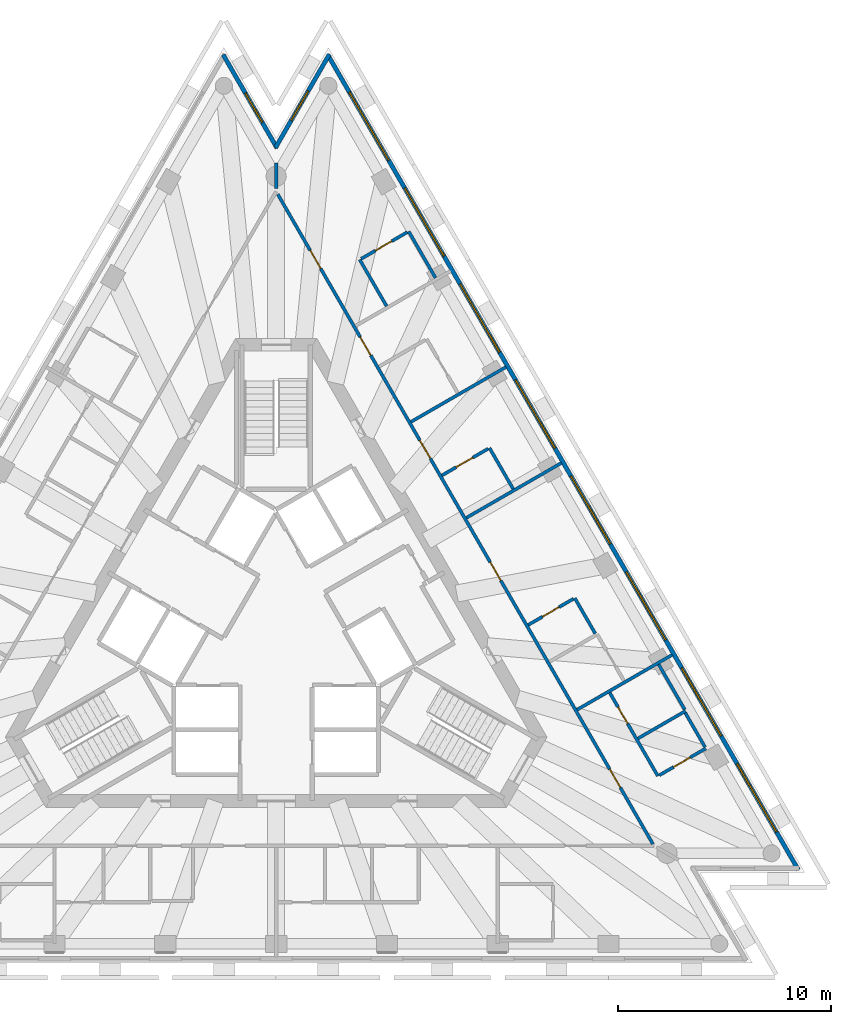
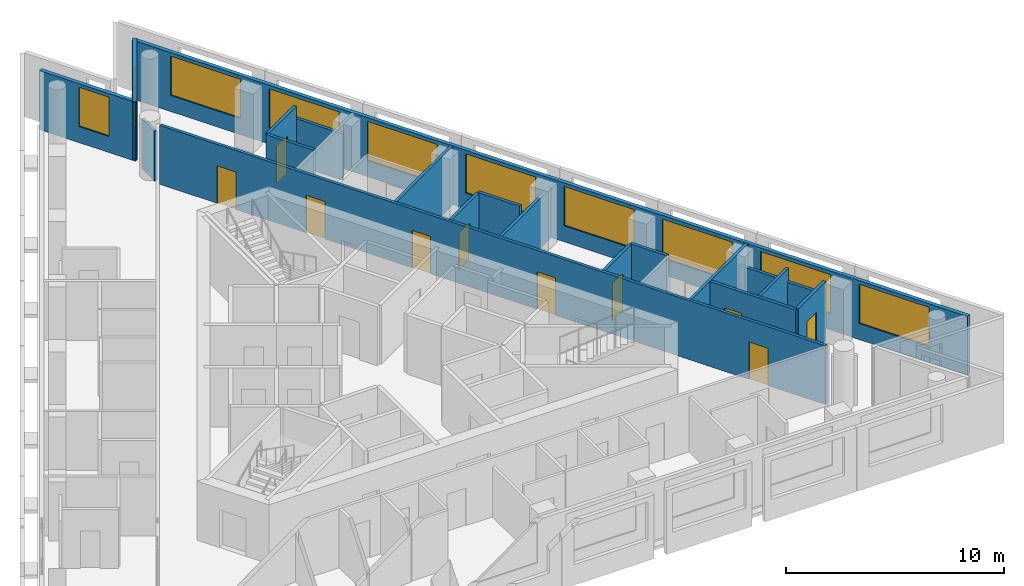
# One storey, part 7 of 10: 20 walls, 10 doors, 10 windows, 20 openings.
"""IFC4 building model written with IfcOpenShell, lengths in metres."""

from ifc_helpers import new_model, si_unit, direction, frame, frame_2d, origin, place, context, subcontext, project, spatial, rectangle, extrude, material, layer, layer_set, layer_usage, type_object, element, fill, save


model = new_model("IFC4")

# Units and contexts
model_context = context("Model", 3, precision=1e-05, world=origin(), true_north=direction((0.0, 1.0)))
body_context = subcontext(model_context, "Body", "Model", "MODEL_VIEW")
ifc_project = project(units=[si_unit("LENGTHUNIT", "METRE"), si_unit("AREAUNIT", "SQUARE_METRE"), si_unit("VOLUMEUNIT", "CUBIC_METRE"), si_unit("PLANEANGLEUNIT", "RADIAN"), si_unit("MASSUNIT", "GRAM", prefix="KILO")], contexts=[model_context])

# Site, building, storey
site_placement = place(None, origin())
site = spatial("IfcSite", under=ifc_project, at=site_placement, CompositionType="ELEMENT")
building_placement = place(site_placement, origin())
building = spatial("IfcBuilding", under=site, at=building_placement, Name="Triada Interchange Tower", CompositionType="ELEMENT")
storey_placement = place(building_placement, frame((0.0, 0.0, 315.10009765625)))
storey = spatial("IfcBuildingStorey", under=building, at=storey_placement, Name="L75", CompositionType="ELEMENT", Elevation=315.10009765625)

# Wall, openings, windows
ifc_material_1 = material(Name="Cement board")
ifc_layer_1 = layer(ifc_material_1, 0.02001953125, Name="Cement board cladding")
ifc_material_2 = material(Name="Sheathing board")
ifc_layer_2 = layer(ifc_material_2, 0.014892578125, Name="Sheathing board")
ifc_material_3 = material(Name="Mineral wool")
ifc_layer_3 = layer(ifc_material_3, 0.14990234375, Name="Mineral wool between steel studs")
ifc_material_4 = material(Name="Gypsum board")
ifc_layer_4 = layer(ifc_material_4, 0.014892578125, Name="Plasterboard lining")
ifc_layer_set_1 = layer_set([ifc_layer_1, ifc_layer_2, ifc_layer_3, ifc_layer_4], Name="External wall 200")
ifc_layer_usage = layer_usage(ifc_layer_set_1, "AXIS2", "POSITIVE", -0.10009765625)
wall_type_1 = type_object("IfcWallType", Name="External wall 200", PredefinedType="ELEMENTEDWALL", material=ifc_layer_set_1)
wall_1_placement = place(storey_placement, frame((24.5439453125, -11.385009765625, 0.0), z_axis=(0.0, 0.0, 1.0), x_axis=(-0.500002044679, 0.866024223285, 0.0)))
wall_1 = element("IfcWall", 1, at=wall_1_placement, inside=storey, type_object=wall_type_1, material=ifc_layer_usage, Name="External wall L75 NE", PredefinedType="ELEMENTEDWALL", context=body_context, shape_type="SweptSolid", body=[
    extrude(rectangle(XDim=44.243408203125, YDim=0.199951171875, at=frame_2d((22.12158203125, 0.0))), origin(), (0.0, 0.0, 1.0), 3.2998046875),
])
opening_1_placement = place(wall_1_placement, frame((2.055908203125, 0.0, 0.89990234375)))
opening_1 = element("IfcOpeningElement", 2, at=opening_1_placement, cuts=wall_1, Name="Opening WD21", PredefinedType="OPENING", context=body_context, shape_type="SweptSolid", body=[
    extrude(rectangle(XDim=3.699951171875, YDim=2.199951171875, at=frame_2d((1.85009765625, 1.10009765625))), frame((0.0, 0.10986328125, 0.0), z_axis=(0.0, -1.0, 0.0), x_axis=(1.0, 0.0, 0.0)), (0.0, 0.0, 1.0), 0.219970703125),
])
opening_2_placement = place(wall_1_placement, frame((7.263916015625, 0.0, 0.89990234375)))
opening_2 = element("IfcOpeningElement", 3, at=opening_2_placement, cuts=wall_1, Name="Opening WD22", PredefinedType="OPENING", context=body_context, shape_type="SweptSolid", body=[
    extrude(rectangle(XDim=3.699951171875, YDim=2.199951171875, at=frame_2d((1.85009765625, 1.10009765625))), frame((0.0, 0.10986328125, 0.0), z_axis=(0.0, -1.0, 0.0), x_axis=(1.0, 0.0, 0.0)), (0.0, 0.0, 1.0), 0.219970703125),
])
opening_3_placement = place(wall_1_placement, frame((12.470947265625, 0.0, 0.89990234375)))
opening_3 = element("IfcOpeningElement", 4, at=opening_3_placement, cuts=wall_1, Name="Opening WD23", PredefinedType="OPENING", context=body_context, shape_type="SweptSolid", body=[
    extrude(rectangle(XDim=3.699951171875, YDim=2.199951171875, at=frame_2d((1.85009765625, 1.10009765625))), frame((0.0, 0.10986328125, 0.0), z_axis=(0.0, -1.0, 0.0), x_axis=(1.0, 0.0, 0.0)), (0.0, 0.0, 1.0), 0.219970703125),
])
opening_4_placement = place(wall_1_placement, frame((17.677978515625, 0.0, 0.89990234375)))
opening_4 = element("IfcOpeningElement", 5, at=opening_4_placement, cuts=wall_1, Name="Opening WD24", PredefinedType="OPENING", context=body_context, shape_type="SweptSolid", body=[
    extrude(rectangle(XDim=3.699951171875, YDim=2.199951171875, at=frame_2d((1.85009765625, 1.10009765625))), frame((0.0, 0.10986328125, 0.0), z_axis=(0.0, -1.0, 0.0), x_axis=(1.0, 0.0, 0.0)), (0.0, 0.0, 1.0), 0.219970703125),
])
opening_5_placement = place(wall_1_placement, frame((22.885009765625, 0.0, 0.89990234375)))
opening_5 = element("IfcOpeningElement", 6, at=opening_5_placement, cuts=wall_1, Name="Opening WD25", PredefinedType="OPENING", context=body_context, shape_type="SweptSolid", body=[
    extrude(rectangle(XDim=3.699951171875, YDim=2.199951171875, at=frame_2d((1.85009765625, 1.10009765625))), frame((0.0, 0.10986328125, 0.0), z_axis=(0.0, -1.0, 0.0), x_axis=(1.0, 0.0, 0.0)), (0.0, 0.0, 1.0), 0.219970703125),
])
opening_6_placement = place(wall_1_placement, frame((28.093017578125, 0.0, 0.89990234375)))
opening_6 = element("IfcOpeningElement", 7, at=opening_6_placement, cuts=wall_1, Name="Opening WD26", PredefinedType="OPENING", context=body_context, shape_type="SweptSolid", body=[
    extrude(rectangle(XDim=3.699951171875, YDim=2.199951171875, at=frame_2d((1.85009765625, 1.10009765625))), frame((0.0, 0.10986328125, 0.0), z_axis=(0.0, -1.0, 0.0), x_axis=(1.0, 0.0, 0.0)), (0.0, 0.0, 1.0), 0.219970703125),
])
opening_7_placement = place(wall_1_placement, frame((33.300048828125, 0.0, 0.89990234375)))
opening_7 = element("IfcOpeningElement", 8, at=opening_7_placement, cuts=wall_1, Name="Opening WD27", PredefinedType="OPENING", context=body_context, shape_type="SweptSolid", body=[
    extrude(rectangle(XDim=3.699951171875, YDim=2.199951171875, at=frame_2d((1.85009765625, 1.10009765625))), frame((0.0, 0.10986328125, 0.0), z_axis=(0.0, -1.0, 0.0), x_axis=(1.0, 0.0, 0.0)), (0.0, 0.0, 1.0), 0.219970703125),
])
opening_8_placement = place(wall_1_placement, frame((38.507080078125, 0.0, 0.89990234375)))
opening_8 = element("IfcOpeningElement", 9, at=opening_8_placement, cuts=wall_1, Name="Opening WD28", PredefinedType="OPENING", context=body_context, shape_type="SweptSolid", body=[
    extrude(rectangle(XDim=3.699951171875, YDim=2.199951171875, at=frame_2d((1.85009765625, 1.10009765625))), frame((0.0, 0.10986328125, 0.0), z_axis=(0.0, -1.0, 0.0), x_axis=(1.0, 0.0, 0.0)), (0.0, 0.0, 1.0), 0.219970703125),
])
ifc_material_5 = material(Name="Double glazed aluminium window", Category="aluminium")
window_type_1 = type_object("IfcWindowType", Name="Ribbon window D face", PartitioningType="SINGLE_PANEL", PredefinedType="WINDOW", material=ifc_material_5)
window_1_placement = place(opening_1_placement, origin())
window_1 = element("IfcWindow", 10, at=window_1_placement, inside=storey, type_object=window_type_1, Name="Window L75 NE 1", OverallHeight=2.199951171875, OverallWidth=3.699951171875, PartitioningType="SINGLE_PANEL", PredefinedType="WINDOW", context=body_context, shape_type="SweptSolid", body=[
    extrude(rectangle(XDim=3.699951171875, YDim=2.199951171875, at=frame_2d((1.85009765625, 1.10009765625))), frame((0.0, 0.030029296875, 0.0), z_axis=(0.0, -1.0, 0.0), x_axis=(1.0, 0.0, 0.0)), (0.0, 0.0, 1.0), 0.06005859375),
])
fill(opening_1, window_1)
window_2_placement = place(opening_2_placement, origin())
window_2 = element("IfcWindow", 11, at=window_2_placement, inside=storey, type_object=window_type_1, Name="Window L75 NE 2", OverallHeight=2.199951171875, OverallWidth=3.699951171875, PartitioningType="SINGLE_PANEL", PredefinedType="WINDOW", context=body_context, shape_type="SweptSolid", body=[
    extrude(rectangle(XDim=3.699951171875, YDim=2.199951171875, at=frame_2d((1.85009765625, 1.10009765625))), frame((0.0, 0.030029296875, 0.0), z_axis=(0.0, -1.0, 0.0), x_axis=(1.0, 0.0, 0.0)), (0.0, 0.0, 1.0), 0.06005859375),
])
fill(opening_2, window_2)
window_3_placement = place(opening_3_placement, origin())
window_3 = element("IfcWindow", 12, at=window_3_placement, inside=storey, type_object=window_type_1, Name="Window L75 NE 3", OverallHeight=2.199951171875, OverallWidth=3.699951171875, PartitioningType="SINGLE_PANEL", PredefinedType="WINDOW", context=body_context, shape_type="SweptSolid", body=[
    extrude(rectangle(XDim=3.699951171875, YDim=2.199951171875, at=frame_2d((1.85009765625, 1.10009765625))), frame((0.0, 0.030029296875, 0.0), z_axis=(0.0, -1.0, 0.0), x_axis=(1.0, 0.0, 0.0)), (0.0, 0.0, 1.0), 0.06005859375),
])
fill(opening_3, window_3)
window_4_placement = place(opening_4_placement, origin())
window_4 = element("IfcWindow", 13, at=window_4_placement, inside=storey, type_object=window_type_1, Name="Window L75 NE 4", OverallHeight=2.199951171875, OverallWidth=3.699951171875, PartitioningType="SINGLE_PANEL", PredefinedType="WINDOW", context=body_context, shape_type="SweptSolid", body=[
    extrude(rectangle(XDim=3.699951171875, YDim=2.199951171875, at=frame_2d((1.85009765625, 1.10009765625))), frame((0.0, 0.030029296875, 0.0), z_axis=(0.0, -1.0, 0.0), x_axis=(1.0, 0.0, 0.0)), (0.0, 0.0, 1.0), 0.06005859375),
])
fill(opening_4, window_4)
window_5_placement = place(opening_5_placement, origin())
window_5 = element("IfcWindow", 14, at=window_5_placement, inside=storey, type_object=window_type_1, Name="Window L75 NE 5", OverallHeight=2.199951171875, OverallWidth=3.699951171875, PartitioningType="SINGLE_PANEL", PredefinedType="WINDOW", context=body_context, shape_type="SweptSolid", body=[
    extrude(rectangle(XDim=3.699951171875, YDim=2.199951171875, at=frame_2d((1.85009765625, 1.10009765625))), frame((0.0, 0.030029296875, 0.0), z_axis=(0.0, -1.0, 0.0), x_axis=(1.0, 0.0, 0.0)), (0.0, 0.0, 1.0), 0.06005859375),
])
fill(opening_5, window_5)
window_6_placement = place(opening_6_placement, origin())
window_6 = element("IfcWindow", 15, at=window_6_placement, inside=storey, type_object=window_type_1, Name="Window L75 NE 6", OverallHeight=2.199951171875, OverallWidth=3.699951171875, PartitioningType="SINGLE_PANEL", PredefinedType="WINDOW", context=body_context, shape_type="SweptSolid", body=[
    extrude(rectangle(XDim=3.699951171875, YDim=2.199951171875, at=frame_2d((1.85009765625, 1.10009765625))), frame((0.0, 0.030029296875, 0.0), z_axis=(0.0, -1.0, 0.0), x_axis=(1.0, 0.0, 0.0)), (0.0, 0.0, 1.0), 0.06005859375),
])
fill(opening_6, window_6)
window_7_placement = place(opening_7_placement, origin())
window_7 = element("IfcWindow", 16, at=window_7_placement, inside=storey, type_object=window_type_1, Name="Window L75 NE 7", OverallHeight=2.199951171875, OverallWidth=3.699951171875, PartitioningType="SINGLE_PANEL", PredefinedType="WINDOW", context=body_context, shape_type="SweptSolid", body=[
    extrude(rectangle(XDim=3.699951171875, YDim=2.199951171875, at=frame_2d((1.85009765625, 1.10009765625))), frame((0.0, 0.030029296875, 0.0), z_axis=(0.0, -1.0, 0.0), x_axis=(1.0, 0.0, 0.0)), (0.0, 0.0, 1.0), 0.06005859375),
])
fill(opening_7, window_7)
window_8_placement = place(opening_8_placement, origin())
window_8 = element("IfcWindow", 17, at=window_8_placement, inside=storey, type_object=window_type_1, Name="Window L75 NE 8", OverallHeight=2.199951171875, OverallWidth=3.699951171875, PartitioningType="SINGLE_PANEL", PredefinedType="WINDOW", context=body_context, shape_type="SweptSolid", body=[
    extrude(rectangle(XDim=3.699951171875, YDim=2.199951171875, at=frame_2d((1.85009765625, 1.10009765625))), frame((0.0, 0.030029296875, 0.0), z_axis=(0.0, -1.0, 0.0), x_axis=(1.0, 0.0, 0.0)), (0.0, 0.0, 1.0), 0.06005859375),
])
fill(opening_8, window_8)

# Wall, opening, window
wall_2_placement = place(storey_placement, frame((2.501953125, 26.947998046875, 0.0), z_axis=(0.0, 0.0, 1.0), x_axis=(-0.499911250765, -0.866076637116, 0.0)))
wall_2 = element("IfcWall", 18, at=wall_2_placement, inside=storey, type_object=wall_type_1, material=ifc_layer_usage, Name="External wall L75 N-1", PredefinedType="ELEMENTEDWALL", context=body_context, shape_type="SweptSolid", body=[
    extrude(rectangle(XDim=5.07470703125, YDim=0.199951171875, at=frame_2d((2.537353515625, 0.0))), origin(), (0.0, 0.0, 1.0), 3.2998046875),
])
opening_9_placement = place(wall_2_placement, frame((1.989990234375, 0.0, 0.89990234375)))
opening_9 = element("IfcOpeningElement", 19, at=opening_9_placement, cuts=wall_2, Name="Opening WD29", PredefinedType="OPENING", context=body_context, shape_type="SweptSolid", body=[
    extrude(rectangle(XDim=1.60009765625, YDim=2.199951171875, at=frame_2d((0.800048828125, 1.10009765625))), frame((0.0, 0.10986328125, 0.0), z_axis=(0.0, -1.0, 0.0), x_axis=(1.0, 0.0, 0.0)), (0.0, 0.0, 1.0), 0.219970703125),
])
window_type_2 = type_object("IfcWindowType", Name="Ribbon window D pocket", PartitioningType="SINGLE_PANEL", PredefinedType="WINDOW", material=ifc_material_5)
window_9_placement = place(opening_9_placement, origin())
window_9 = element("IfcWindow", 20, at=window_9_placement, inside=storey, type_object=window_type_2, Name="Window L75 N-1 1", OverallHeight=2.199951171875, OverallWidth=1.60009765625, PartitioningType="SINGLE_PANEL", PredefinedType="WINDOW", context=body_context, shape_type="SweptSolid", body=[
    extrude(rectangle(XDim=1.60009765625, YDim=2.199951171875, at=frame_2d((0.800048828125, 1.10009765625))), frame((0.0, 0.030029296875, 0.0), z_axis=(0.0, -1.0, 0.0), x_axis=(1.0, 0.0, 0.0)), (0.0, 0.0, 1.0), 0.06005859375),
])
fill(opening_9, window_9)

wall_3_placement = place(storey_placement, frame((0.044921875, 22.535888671875, 0.0), z_axis=(0.0, 0.0, 1.0), x_axis=(-0.499911250765, 0.866076637116, 0.0)))
wall_3 = element("IfcWall", 21, at=wall_3_placement, inside=storey, type_object=wall_type_1, material=ifc_layer_usage, Name="External wall L75 N-2", PredefinedType="ELEMENTEDWALL", context=body_context, shape_type="SweptSolid", body=[
    extrude(rectangle(XDim=5.07470703125, YDim=0.199951171875, at=frame_2d((2.537353515625, 0.0))), origin(), (0.0, 0.0, 1.0), 3.2998046875),
])
opening_10_placement = place(wall_3_placement, frame((1.389892578125, 0.0, 0.89990234375)))
opening_10 = element("IfcOpeningElement", 22, at=opening_10_placement, cuts=wall_3, Name="Opening WD30", PredefinedType="OPENING", context=body_context, shape_type="SweptSolid", body=[
    extrude(rectangle(XDim=1.60009765625, YDim=2.199951171875, at=frame_2d((0.800048828125, 1.10009765625))), frame((0.0, 0.10986328125, 0.0), z_axis=(0.0, -1.0, 0.0), x_axis=(1.0, 0.0, 0.0)), (0.0, 0.0, 1.0), 0.219970703125),
])
window_10_placement = place(opening_10_placement, origin())
window_10 = element("IfcWindow", 23, at=window_10_placement, inside=storey, type_object=window_type_2, Name="Window L75 N-2 1", OverallHeight=2.199951171875, OverallWidth=1.60009765625, PartitioningType="SINGLE_PANEL", PredefinedType="WINDOW", context=body_context, shape_type="SweptSolid", body=[
    extrude(rectangle(XDim=1.60009765625, YDim=2.199951171875, at=frame_2d((0.800048828125, 1.10009765625))), frame((0.0, 0.030029296875, 0.0), z_axis=(0.0, -1.0, 0.0), x_axis=(1.0, 0.0, 0.0)), (0.0, 0.0, 1.0), 0.06005859375),
])
fill(opening_10, window_10)

# Walls
ifc_material_6 = material(Name="Gypsum board partition")
ifc_layer_5 = layer(ifc_material_6, 0.14990234375)
ifc_layer_set_2 = layer_set([ifc_layer_5], Name="PARTITION 150 EI 180")
wall_type_2 = type_object("IfcWallType", Name="PARTITION 150 EI 180", PredefinedType="PARTITIONING", material=ifc_layer_set_2)
wall_4_placement = place(storey_placement, frame((8.94189453125, 5.162109375, 0.0), z_axis=(0.0, 0.0, 1.0), x_axis=(0.86604134632, 0.499972385701, 0.0)))
element("IfcWall", 24, at=wall_4_placement, inside=storey, type_object=wall_type_2, Name="Wall L74 2", PredefinedType="PARTITIONING", context=body_context, shape_type="SweptSolid", body=[
    extrude(rectangle(XDim=5.157958984375, YDim=0.14990234375, at=frame_2d((2.5791015625, 0.0))), origin(), (0.0, 0.0, 1.0), 2.7998046875),
])
wall_5_placement = place(storey_placement, frame((0.0, 20.64990234375, 0.0), z_axis=(0.0, 0.0, 1.0), x_axis=(0.0, 1.0, 0.0)))
element("IfcWall", 25, at=wall_5_placement, inside=storey, type_object=wall_type_2, Name="Wall L74 21", PredefinedType="PARTITIONING", context=body_context, shape_type="SweptSolid", body=[
    extrude(rectangle(XDim=1.18408203125, YDim=0.14990234375, at=frame_2d((0.592041015625, 0.0))), origin(), (0.0, 0.0, 1.0), 2.7998046875),
])

# Wall, openings, doors
wall_6_placement = place(storey_placement, frame((0.074951171875, 20.3701171875, 0.0), z_axis=(0.0, 0.0, 1.0), x_axis=(0.500006672087, -0.866021551619, 0.0)))
wall_6 = element("IfcWall", 26, at=wall_6_placement, inside=storey, type_object=wall_type_2, Name="Wall L74 22", PredefinedType="PARTITIONING", context=body_context, shape_type="SweptSolid", body=[
    extrude(rectangle(XDim=35.26953125, YDim=0.14990234375, at=frame_2d((17.634765625, 0.0))), origin(), (0.0, 0.0, 1.0), 3.2998046875),
])
opening_11_placement = place(wall_6_placement, frame((31.2060546875, 0.0, 0.0)))
opening_11 = element("IfcOpeningElement", 27, at=opening_11_placement, cuts=wall_6, Name="Opening D74-23", PredefinedType="OPENING", context=body_context, shape_type="SweptSolid", body=[
    extrude(rectangle(XDim=1.0, YDim=2.10009765625, at=frame_2d((0.5, 1.050048828125))), frame((0.0, 0.0849609375, 0.0), z_axis=(0.0, -1.0, 0.0), x_axis=(1.0, 0.0, 0.0)), (0.0, 0.0, 1.0), 0.169921875),
])
opening_12_placement = place(wall_6_placement, frame((19.968017578125, 0.0, 0.0)))
opening_12 = element("IfcOpeningElement", 28, at=opening_12_placement, cuts=wall_6, Name="Opening D74-26", PredefinedType="OPENING", context=body_context, shape_type="SweptSolid", body=[
    extrude(rectangle(XDim=1.0, YDim=2.10009765625, at=frame_2d((0.5, 1.050048828125))), frame((0.0, 0.0849609375, 0.0), z_axis=(0.0, -1.0, 0.0), x_axis=(1.0, 0.0, 0.0)), (0.0, 0.0, 1.0), 0.169921875),
])
opening_13_placement = place(wall_6_placement, frame((13.35302734375, 0.0, 0.0)))
opening_13 = element("IfcOpeningElement", 29, at=opening_13_placement, cuts=wall_6, Name="Opening D74-29", PredefinedType="OPENING", context=body_context, shape_type="SweptSolid", body=[
    extrude(rectangle(XDim=1.0, YDim=2.10009765625, at=frame_2d((0.5, 1.050048828125))), frame((0.0, 0.0849609375, 0.0), z_axis=(0.0, -1.0, 0.0), x_axis=(1.0, 0.0, 0.0)), (0.0, 0.0, 1.0), 0.169921875),
])
opening_14_placement = place(wall_6_placement, frame((7.74609375, 0.0, 0.0)))
opening_14 = element("IfcOpeningElement", 30, at=opening_14_placement, cuts=wall_6, Name="Opening D74-31", PredefinedType="OPENING", context=body_context, shape_type="SweptSolid", body=[
    extrude(rectangle(XDim=1.0, YDim=2.10009765625, at=frame_2d((0.5, 1.050048828125))), frame((0.0, 0.0849609375, 0.0), z_axis=(0.0, -1.0, 0.0), x_axis=(1.0, 0.0, 0.0)), (0.0, 0.0, 1.0), 0.169921875),
])
opening_15_placement = place(wall_6_placement, frame((3.0380859375, 0.0, 0.0)))
opening_15 = element("IfcOpeningElement", 31, at=opening_15_placement, cuts=wall_6, Name="Opening D74-33", PredefinedType="OPENING", context=body_context, shape_type="SweptSolid", body=[
    extrude(rectangle(XDim=1.0, YDim=2.10009765625, at=frame_2d((0.5, 1.050048828125))), frame((0.0, 0.0849609375, 0.0), z_axis=(0.0, -1.0, 0.0), x_axis=(1.0, 0.0, 0.0)), (0.0, 0.0, 1.0), 0.169921875),
])
ifc_material_7 = material(Name="Steel S235 door leaf", Category="steel")
door_type_1 = type_object("IfcDoorType", Name="GUEST ROOM DOOR 1000 EI2 90-C5S200", OperationType="NOTDEFINED", PredefinedType="DOOR", material=ifc_material_7)
door_1_placement = place(opening_11_placement, origin())
door_1 = element("IfcDoor", 32, at=door_1_placement, inside=storey, type_object=door_type_1, Name="Door D74-23 L75", OperationType="SINGLE_SWING_RIGHT", OverallHeight=2.10009765625, OverallWidth=1.0, PredefinedType="DOOR", context=body_context, shape_type="SweptSolid", body=[
    extrude(rectangle(XDim=1.0, YDim=2.10009765625, at=frame_2d((0.5, 1.050048828125))), frame((0.0, 0.02490234375, 0.0), z_axis=(0.0, -1.0, 0.0), x_axis=(1.0, 0.0, 0.0)), (0.0, 0.0, 1.0), 0.050048828125),
])
fill(opening_11, door_1)
door_2_placement = place(opening_12_placement, origin())
door_2 = element("IfcDoor", 33, at=door_2_placement, inside=storey, type_object=door_type_1, Name="Door D74-26 L75", OperationType="SINGLE_SWING_RIGHT", OverallHeight=2.10009765625, OverallWidth=1.0, PredefinedType="DOOR", context=body_context, shape_type="SweptSolid", body=[
    extrude(rectangle(XDim=1.0, YDim=2.10009765625, at=frame_2d((0.5, 1.050048828125))), frame((0.0, 0.02490234375, 0.0), z_axis=(0.0, -1.0, 0.0), x_axis=(1.0, 0.0, 0.0)), (0.0, 0.0, 1.0), 0.050048828125),
])
fill(opening_12, door_2)
door_3_placement = place(opening_13_placement, origin())
door_3 = element("IfcDoor", 34, at=door_3_placement, inside=storey, type_object=door_type_1, Name="Door D74-29 L75", OperationType="SINGLE_SWING_LEFT", OverallHeight=2.10009765625, OverallWidth=1.0, PredefinedType="DOOR", context=body_context, shape_type="SweptSolid", body=[
    extrude(rectangle(XDim=1.0, YDim=2.10009765625, at=frame_2d((0.5, 1.050048828125))), frame((0.0, 0.02490234375, 0.0), z_axis=(0.0, -1.0, 0.0), x_axis=(1.0, 0.0, 0.0)), (0.0, 0.0, 1.0), 0.050048828125),
])
fill(opening_13, door_3)
door_4_placement = place(opening_14_placement, origin())
door_4 = element("IfcDoor", 35, at=door_4_placement, inside=storey, type_object=door_type_1, Name="Door D74-31 L75", OperationType="SINGLE_SWING_RIGHT", OverallHeight=2.10009765625, OverallWidth=1.0, PredefinedType="DOOR", context=body_context, shape_type="SweptSolid", body=[
    extrude(rectangle(XDim=1.0, YDim=2.10009765625, at=frame_2d((0.5, 1.050048828125))), frame((0.0, 0.02490234375, 0.0), z_axis=(0.0, -1.0, 0.0), x_axis=(1.0, 0.0, 0.0)), (0.0, 0.0, 1.0), 0.050048828125),
])
fill(opening_14, door_4)
door_5_placement = place(opening_15_placement, origin())
door_5 = element("IfcDoor", 36, at=door_5_placement, inside=storey, type_object=door_type_1, Name="Door D74-33 L75", OperationType="SINGLE_SWING_LEFT", OverallHeight=2.10009765625, OverallWidth=1.0, PredefinedType="DOOR", context=body_context, shape_type="SweptSolid", body=[
    extrude(rectangle(XDim=1.0, YDim=2.10009765625, at=frame_2d((0.5, 1.050048828125))), frame((0.0, 0.02490234375, 0.0), z_axis=(0.0, -1.0, 0.0), x_axis=(1.0, 0.0, 0.0)), (0.0, 0.0, 1.0), 0.050048828125),
])
fill(opening_15, door_5)

# Walls
for number, where, z_axis, x_axis, name in (
    (37, (6.337890625, 9.672119140625, 0.0), (0.0, 0.0, 1.0), (0.86604134632, 0.499972385701, 0.0), "Wall L74 27"),
    (38, (14.14892578125, -3.85693359375, 0.0), (0.0, 0.0, 1.0), (0.86604134632, 0.499972385701, 0.0), "Wall L74 29"),
):
    element("IfcWall", number, at=place(storey_placement, frame(where, z_axis=z_axis, x_axis=x_axis)), inside=storey, type_object=wall_type_2, Name=name, PredefinedType="PARTITIONING", context=body_context, shape_type="SweptSolid", body=[
        extrude(rectangle(XDim=5.157958984375, YDim=0.14990234375, at=frame_2d((2.5791015625, 0.0))), origin(), (0.0, 0.0, 1.0), 3.2998046875),
    ])
ifc_layer_6 = layer(ifc_material_6, 0.14990234375)
ifc_layer_set_3 = layer_set([ifc_layer_6], Name="PARTITION 150 EI 90")
wall_type_3 = type_object("IfcWallType", Name="PARTITION 150 EI 90", PredefinedType="PARTITIONING", material=ifc_layer_set_3)
wall_7_placement = place(storey_placement, frame((10.027099609375, 8.445068359375, 0.0), z_axis=(0.0, 0.0, 1.0), x_axis=(0.500080171303, -0.865979111913, 0.0)))
element("IfcWall", 39, at=wall_7_placement, inside=storey, type_object=wall_type_3, Name="Wall L74 48", PredefinedType="PARTITIONING", context=body_context, shape_type="SweptSolid", body=[
    extrude(rectangle(XDim=2.225341796875, YDim=0.14990234375, at=frame_2d((1.11279296875, 0.0))), origin(), (0.0, 0.0, 1.0), 3.2998046875),
])

# Wall, opening, door
wall_8_placement = place(storey_placement, frame((7.7919921875, 7.155029296875, 0.0), z_axis=(0.0, 0.0, 1.0), x_axis=(0.866003851672, 0.500037327496, 0.0)))
wall_8 = element("IfcWall", 40, at=wall_8_placement, inside=storey, type_object=wall_type_3, Name="Wall L74 51", PredefinedType="PARTITIONING", context=body_context, shape_type="SweptSolid", body=[
    extrude(rectangle(XDim=2.505615234375, YDim=0.14990234375, at=frame_2d((1.2529296875, 0.0))), origin(), (0.0, 0.0, 1.0), 3.2998046875),
])
opening_16_placement = place(wall_8_placement, frame((0.77392578125, 0.0, 0.0)))
opening_16 = element("IfcOpeningElement", 41, at=opening_16_placement, cuts=wall_8, Name="Opening D74-30", PredefinedType="OPENING", context=body_context, shape_type="SweptSolid", body=[
    extrude(rectangle(XDim=0.89990234375, YDim=2.10009765625, at=frame_2d((0.449951171875, 1.050048828125))), frame((0.0, 0.0849609375, 0.0), z_axis=(0.0, -1.0, 0.0), x_axis=(1.0, 0.0, 0.0)), (0.0, 0.0, 1.0), 0.169921875),
])
door_type_2 = type_object("IfcDoorType", Name="ROOM DOOR 900 EI2 45-C5S200", OperationType="NOTDEFINED", PredefinedType="DOOR", material=ifc_material_7)
door_6_placement = place(opening_16_placement, origin())
door_6 = element("IfcDoor", 42, at=door_6_placement, inside=storey, type_object=door_type_2, Name="Door D74-30 L75", OperationType="SINGLE_SWING_RIGHT", OverallHeight=2.10009765625, OverallWidth=0.89990234375, PredefinedType="DOOR", context=body_context, shape_type="SweptSolid", body=[
    extrude(rectangle(XDim=0.89990234375, YDim=2.10009765625, at=frame_2d((0.449951171875, 1.050048828125))), frame((0.0, 0.02490234375, 0.0), z_axis=(0.0, -1.0, 0.0), x_axis=(1.0, 0.0, 0.0)), (0.0, 0.0, 1.0), 0.050048828125),
])
fill(opening_16, door_6)

# Wall
wall_9_placement = place(storey_placement, frame((14.035888671875, 1.388916015625, 0.0), z_axis=(0.0, 0.0, 1.0), x_axis=(0.499890818081, -0.866088430819, 0.0)))
element("IfcWall", 43, at=wall_9_placement, inside=storey, type_object=wall_type_3, Name="Wall L74 53", PredefinedType="PARTITIONING", context=body_context, shape_type="SweptSolid", body=[
    extrude(rectangle(XDim=1.9248046875, YDim=0.14990234375, at=frame_2d((0.96240234375, 0.0))), origin(), (0.0, 0.0, 1.0), 3.2998046875),
])

# Wall, opening, door
wall_10_placement = place(storey_placement, frame((11.84912109375, 0.126953125, 0.0), z_axis=(0.0, 0.0, 1.0), x_axis=(0.866014668023, 0.500018594424, 0.0)))
wall_10 = element("IfcWall", 44, at=wall_10_placement, inside=storey, type_object=wall_type_3, Name="Wall L74 54", PredefinedType="PARTITIONING", context=body_context, shape_type="SweptSolid", body=[
    extrude(rectangle(XDim=2.4501953125, YDim=0.14990234375, at=frame_2d((1.22509765625, 0.0))), origin(), (0.0, 0.0, 1.0), 3.2998046875),
])
opening_17_placement = place(wall_10_placement, frame((0.77490234375, 0.0, 0.0)))
opening_17 = element("IfcOpeningElement", 45, at=opening_17_placement, cuts=wall_10, Name="Opening D74-28", PredefinedType="OPENING", context=body_context, shape_type="SweptSolid", body=[
    extrude(rectangle(XDim=0.89990234375, YDim=2.10009765625, at=frame_2d((0.449951171875, 1.050048828125))), frame((0.0, 0.0849609375, 0.0), z_axis=(0.0, -1.0, 0.0), x_axis=(1.0, 0.0, 0.0)), (0.0, 0.0, 1.0), 0.169921875),
])
door_type_3 = type_object("IfcDoorType", Name="SERVICE DOOR 900 EI2 45-C5S200", OperationType="NOTDEFINED", PredefinedType="DOOR", material=ifc_material_7)
door_7_placement = place(opening_17_placement, origin())
door_7 = element("IfcDoor", 46, at=door_7_placement, inside=storey, type_object=door_type_3, Name="Door D74-28 L75", OperationType="SINGLE_SWING_RIGHT", OverallHeight=2.10009765625, OverallWidth=0.89990234375, PredefinedType="DOOR", context=body_context, shape_type="SweptSolid", body=[
    extrude(rectangle(XDim=0.89990234375, YDim=2.10009765625, at=frame_2d((0.449951171875, 1.050048828125))), frame((0.0, 0.02490234375, 0.0), z_axis=(0.0, -1.0, 0.0), x_axis=(1.0, 0.0, 0.0)), (0.0, 0.0, 1.0), 0.050048828125),
])
fill(opening_17, door_7)

# Wall
wall_11_placement = place(storey_placement, frame((3.927978515625, 17.2958984375, 0.0), z_axis=(0.0, 0.0, 1.0), x_axis=(0.50028887667, -0.865858556509, 0.0)))
element("IfcWall", 47, at=wall_11_placement, inside=storey, type_object=wall_type_3, Name="Wall L74 56", PredefinedType="PARTITIONING", context=body_context, shape_type="SweptSolid", body=[
    extrude(rectangle(XDim=2.5244140625, YDim=0.14990234375, at=frame_2d((1.26220703125, 0.0))), origin(), (0.0, 0.0, 1.0), 3.2998046875),
])

# Wall, opening, door
wall_12_placement = place(storey_placement, frame((15.679931640625, -3.05908203125, 0.0), z_axis=(0.0, 0.0, 1.0), x_axis=(0.500096029888, -0.865969953804, 0.0)))
wall_12 = element("IfcWall", 48, at=wall_12_placement, inside=storey, type_object=wall_type_3, Name="Wall L74 57", PredefinedType="PARTITIONING", context=body_context, shape_type="SweptSolid", body=[
    extrude(rectangle(XDim=4.525390625, YDim=0.14990234375, at=frame_2d((2.2626953125, 0.0))), origin(), (0.0, 0.0, 1.0), 3.2998046875),
])
opening_18_placement = place(wall_12_placement, frame((0.77587890625, 0.0, 0.0)))
opening_18 = element("IfcOpeningElement", 49, at=opening_18_placement, cuts=wall_12, Name="Opening D74-24", PredefinedType="OPENING", context=body_context, shape_type="SweptSolid", body=[
    extrude(rectangle(XDim=0.89990234375, YDim=2.10009765625, at=frame_2d((0.449951171875, 1.050048828125))), frame((0.0, 0.0849609375, 0.0), z_axis=(0.0, -1.0, 0.0), x_axis=(1.0, 0.0, 0.0)), (0.0, 0.0, 1.0), 0.169921875),
])
door_8_placement = place(opening_18_placement, origin())
door_8 = element("IfcDoor", 50, at=door_8_placement, inside=storey, type_object=door_type_2, Name="Door D74-24 L75", OperationType="SINGLE_SWING_LEFT", OverallHeight=2.10009765625, OverallWidth=0.89990234375, PredefinedType="DOOR", context=body_context, shape_type="SweptSolid", body=[
    extrude(rectangle(XDim=0.89990234375, YDim=2.10009765625, at=frame_2d((0.449951171875, 1.050048828125))), frame((0.0, 0.02490234375, 0.0), z_axis=(0.0, -1.0, 0.0), x_axis=(1.0, 0.0, 0.0)), (0.0, 0.0, 1.0), 0.050048828125),
])
fill(opening_18, door_8)

# Wall
wall_13_placement = place(storey_placement, frame((17.008056640625, -5.208984375, 0.0), z_axis=(0.0, 0.0, 1.0), x_axis=(0.865999760466, 0.500044412901, 0.0)))
element("IfcWall", 51, at=wall_13_placement, inside=storey, type_object=wall_type_3, Name="Wall L74 58", PredefinedType="PARTITIONING", context=body_context, shape_type="SweptSolid", body=[
    extrude(rectangle(XDim=2.581787109375, YDim=0.14990234375, at=frame_2d((1.291015625, 0.0))), origin(), (0.0, 0.0, 1.0), 3.2998046875),
])

# Wall, opening, door
wall_14_placement = place(storey_placement, frame((18.008056640625, -6.94091796875, 0.0), z_axis=(0.0, 0.0, 1.0), x_axis=(0.865979509711, 0.500079482444, 0.0)))
wall_14 = element("IfcWall", 52, at=wall_14_placement, inside=storey, type_object=wall_type_3, Name="Wall L74 59", PredefinedType="PARTITIONING", context=body_context, shape_type="SweptSolid", body=[
    extrude(rectangle(XDim=2.525390625, YDim=0.14990234375, at=frame_2d((1.2626953125, 0.0))), origin(), (0.0, 0.0, 1.0), 3.2998046875),
])
opening_19_placement = place(wall_14_placement, frame((0.77490234375, 0.0, 0.0)))
opening_19 = element("IfcOpeningElement", 53, at=opening_19_placement, cuts=wall_14, Name="Opening D74-25", PredefinedType="OPENING", context=body_context, shape_type="SweptSolid", body=[
    extrude(rectangle(XDim=0.89990234375, YDim=2.10009765625, at=frame_2d((0.449951171875, 1.050048828125))), frame((0.0, 0.0849609375, 0.0), z_axis=(0.0, -1.0, 0.0), x_axis=(1.0, 0.0, 0.0)), (0.0, 0.0, 1.0), 0.169921875),
])
door_9_placement = place(opening_19_placement, origin())
door_9 = element("IfcDoor", 54, at=door_9_placement, inside=storey, type_object=door_type_3, Name="Door D74-25 L75", OperationType="SINGLE_SWING_RIGHT", OverallHeight=2.10009765625, OverallWidth=0.89990234375, PredefinedType="DOOR", context=body_context, shape_type="SweptSolid", body=[
    extrude(rectangle(XDim=0.89990234375, YDim=2.10009765625, at=frame_2d((0.449951171875, 1.050048828125))), frame((0.0, 0.02490234375, 0.0), z_axis=(0.0, -1.0, 0.0), x_axis=(1.0, 0.0, 0.0)), (0.0, 0.0, 1.0), 0.050048828125),
])
fill(opening_19, door_9)

# Walls
wall_15_placement = place(storey_placement, frame((19.23193359375, -4.010986328125, 0.0), z_axis=(0.0, 0.0, 1.0), x_axis=(0.500042316284, -0.866000971088, 0.0)))
element("IfcWall", 55, at=wall_15_placement, inside=storey, type_object=wall_type_3, Name="Wall L74 60", PredefinedType="PARTITIONING", context=body_context, shape_type="SweptSolid", body=[
    extrude(rectangle(XDim=1.849853515625, YDim=0.14990234375, at=frame_2d((0.9248046875, 0.0))), origin(), (0.0, 0.0, 1.0), 2.599853515625),
])
wall_16_placement = place(storey_placement, frame((6.22900390625, 18.625, 0.0), z_axis=(0.0, 0.0, 1.0), x_axis=(0.499789415832, -0.866146950478, 0.0)))
element("IfcWall", 56, at=wall_16_placement, inside=storey, type_object=wall_type_3, Name="Wall L74 61", PredefinedType="PARTITIONING", context=body_context, shape_type="SweptSolid", body=[
    extrude(rectangle(XDim=2.52490234375, YDim=0.14990234375, at=frame_2d((1.262451171875, 0.0))), origin(), (0.0, 0.0, 1.0), 2.599853515625),
])
wall_17_placement = place(storey_placement, frame((17.98095703125, -1.73095703125, 0.0), z_axis=(0.0, 0.0, 1.0), x_axis=(0.499975448907, -0.8660395779, 0.0)))
element("IfcWall", 57, at=wall_17_placement, inside=storey, type_object=wall_type_3, Name="Wall L74 62", PredefinedType="PARTITIONING", context=body_context, shape_type="SweptSolid", body=[
    extrude(rectangle(XDim=2.4501953125, YDim=0.14990234375, at=frame_2d((1.22509765625, 0.0))), origin(), (0.0, 0.0, 1.0), 2.599853515625),
])

# Wall, opening, door
wall_18_placement = place(storey_placement, frame((3.992919921875, 17.333984375, 0.0), z_axis=(0.0, 0.0, 1.0), x_axis=(0.866125586781, 0.4998264378, 0.0)))
wall_18 = element("IfcWall", 58, at=wall_18_placement, inside=storey, type_object=wall_type_3, Name="Wall L74 63", PredefinedType="PARTITIONING", context=body_context, shape_type="SweptSolid", body=[
    extrude(rectangle(XDim=2.5068359375, YDim=0.14990234375, at=frame_2d((1.25341796875, 0.0))), origin(), (0.0, 0.0, 1.0), 3.2998046875),
])
opening_20_placement = place(wall_18_placement, frame((0.77490234375, 0.0, 0.0)))
opening_20 = element("IfcOpeningElement", 59, at=opening_20_placement, cuts=wall_18, Name="Opening D74-34", PredefinedType="OPENING", context=body_context, shape_type="SweptSolid", body=[
    extrude(rectangle(XDim=0.89990234375, YDim=2.10009765625, at=frame_2d((0.449951171875, 1.050048828125))), frame((0.0, 0.0849609375, 0.0), z_axis=(0.0, -1.0, 0.0), x_axis=(1.0, 0.0, 0.0)), (0.0, 0.0, 1.0), 0.169921875),
])
door_10_placement = place(opening_20_placement, origin())
door_10 = element("IfcDoor", 60, at=door_10_placement, inside=storey, type_object=door_type_2, Name="Door D74-34 L75", OperationType="SINGLE_SWING_LEFT", OverallHeight=2.10009765625, OverallWidth=0.89990234375, PredefinedType="DOOR", context=body_context, shape_type="SweptSolid", body=[
    extrude(rectangle(XDim=0.89990234375, YDim=2.10009765625, at=frame_2d((0.449951171875, 1.050048828125))), frame((0.0, 0.02490234375, 0.0), z_axis=(0.0, -1.0, 0.0), x_axis=(1.0, 0.0, 0.0)), (0.0, 0.0, 1.0), 0.050048828125),
])
fill(opening_20, door_10)

save(model, "model.ifc")
